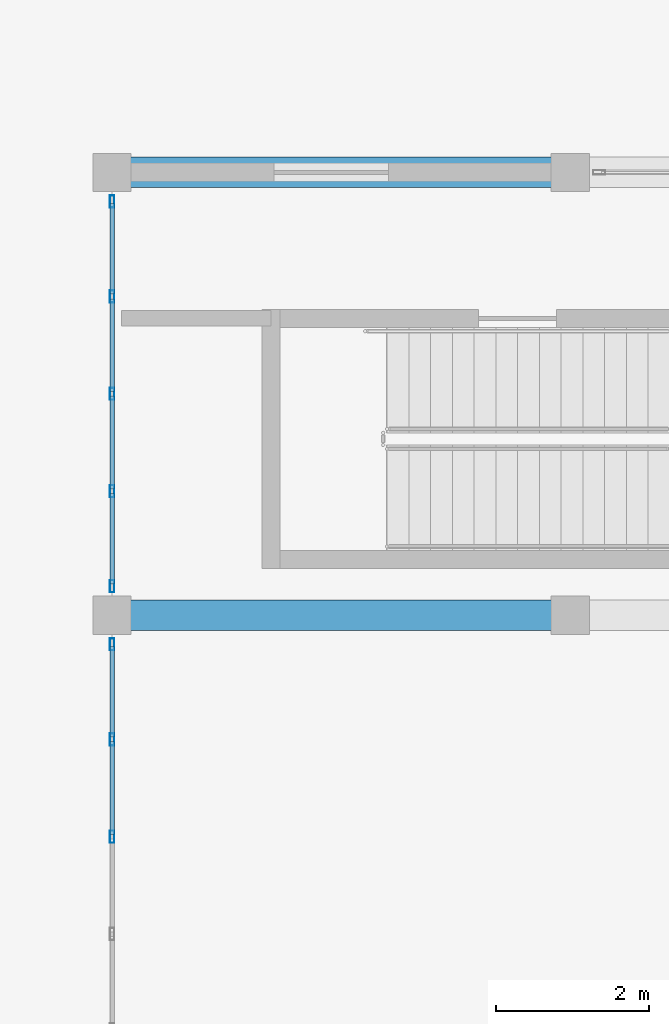
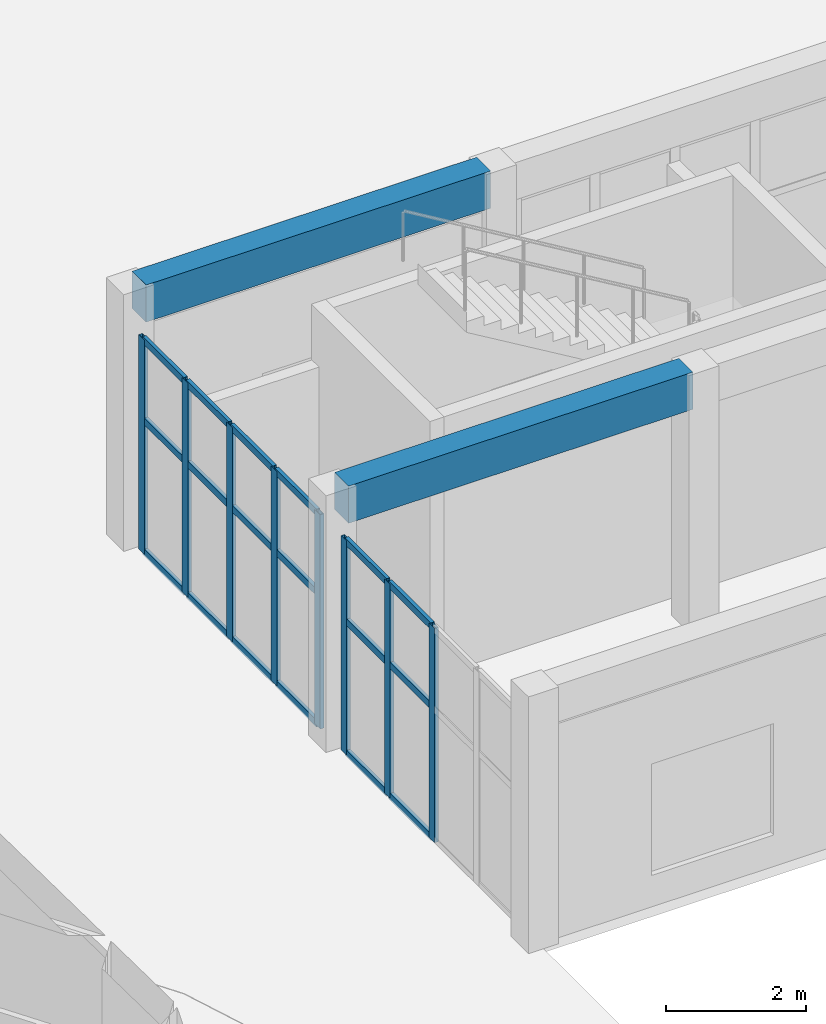
# One storey, part 13 of 132: 26 members, 2 beams, 2 elements without a shape of their own.
"""IFC4 building model written with IfcOpenShell, lengths in metres."""

from ifc_helpers import new_model, si_unit, direction, frame, origin, origin_2d, place, context, subcontext, project, spatial, rectangle, hollow_rectangle, extrude, material, material_profile, profile_set, type_object, element, aggregate, save


model = new_model("IFC4")

# Units and contexts
model_context = context("Model", 3, precision=1e-05, world=origin(), true_north=direction((0.0, 1.0)))
body_context = subcontext(model_context, "Body", "Model", "MODEL_VIEW")
ifc_project = project(units=[si_unit("LENGTHUNIT", "METRE"), si_unit("AREAUNIT", "SQUARE_METRE"), si_unit("VOLUMEUNIT", "CUBIC_METRE"), si_unit("PLANEANGLEUNIT", "RADIAN"), si_unit("MASSUNIT", "GRAM", prefix="KILO")], contexts=[model_context])

# Site, building, storey
site_placement = place(None, origin())
site = spatial("IfcSite", under=ifc_project, at=site_placement, CompositionType="ELEMENT")
building_placement = place(site_placement, origin())
building = spatial("IfcBuilding", under=site, at=building_placement, Name="Tanwirah Colonnade Gardens", CompositionType="ELEMENT")
storey_placement = place(building_placement, origin())
storey = spatial("IfcBuildingStorey", under=building, at=storey_placement, Name="L00", CompositionType="ELEMENT", Elevation=0.0)

# Beams
ifc_material_1 = material(Name="Precast concrete C45/55", Category="concrete")
ifc_material_profile_1 = material_profile(ifc_material_1, rectangle(XDim=0.39990234375, YDim=0.64990234375, at=origin_2d()), Name="PC-BM 400x650")
ifc_profile_set_1 = profile_set([ifc_material_profile_1], Name="Precast concrete C45/55")
beam_type = type_object("IfcBeamType", Name="BM-PC400", PredefinedType="BEAM", material=ifc_profile_set_1)
for number, where, z_axis, x_axis, name in (
    (1, (66.14990234375, 22.39990234375, 4.1650390625), (1.0, 0.0, 0.0), (0.0, 1.0, 0.0), "Boulevard Shops W L00 Beam 0.2"),
    (2, (66.14990234375, 28.199951171875, 4.1650390625), (1.0, 0.0, 0.0), (0.0, 1.0, 0.0), "Boulevard Shops W L00 Beam 0.3"),
):
    element("IfcBeam", number, at=place(storey_placement, frame(where, z_axis=z_axis, x_axis=x_axis)), inside=storey, type_object=beam_type, Name=name, PredefinedType="BEAM", context=body_context, shape_type="SweptSolid", body=[
        extrude(rectangle(XDim=0.39990234375, YDim=0.64990234375, at=origin_2d()), origin(), (0.0, 0.0, 1.0), 5.7001953125),
    ])

# Curtain wall, members
ifc_material_2 = material(Name="Bronze-anodised aluminium and solar-control low-E glass", Category="aluminium")
curtain_wall_type = type_object("IfcCurtainWallType", Name="CW-SHP", PredefinedType="NOTDEFINED", material=ifc_material_2)
curtain_wall_1_placement = place(storey_placement, origin())
curtain_wall_1 = element("IfcCurtainWall", 3, at=curtain_wall_1_placement, inside=storey, type_object=curtain_wall_type, Name="Curtain Wall CW-SHP-W-L00-W-1", PredefinedType="NOTDEFINED")
ifc_material_3 = material(Name="Bronze-anodised aluminium", Category="aluminium")
ifc_material_profile_2 = material_profile(ifc_material_3, hollow_rectangle(XDim=0.06005859375, YDim=0.159912109375, WallThickness=0.00390625, at=origin_2d()), Name="CW-MUL 60x160x4")
ifc_profile_set_2 = profile_set([ifc_material_profile_2], Name="Bronze-anodised aluminium")
member_type_1 = type_object("IfcMemberType", Name="CWM-60x160", PredefinedType="MULLION", material=ifc_profile_set_2)
member_1_placement = place(storey_placement, frame((66.0, 19.5, 0.0), z_axis=(0.0, 0.0, 1.0), x_axis=(-1.0, 0.0, 0.0)))
member_1 = element("IfcMember", 4, at=member_1_placement, type_object=member_type_1, Name="CW-SHP mullion 3", PredefinedType="MULLION", context=body_context, shape_type="SweptSolid", body=[
    extrude(hollow_rectangle(XDim=0.06005859375, YDim=0.159912109375, WallThickness=0.00390625, at=origin_2d()), origin(), (0.0, 0.0, 1.0), 3.75),
])
member_2_placement = place(storey_placement, frame((66.0, 20.77490234375, 0.0), z_axis=(0.0, 0.0, 1.0), x_axis=(-1.0, 0.0, 0.0)))
member_2 = element("IfcMember", 5, at=member_2_placement, type_object=member_type_1, Name="CW-SHP mullion 4", PredefinedType="MULLION", context=body_context, shape_type="SweptSolid", body=[
    extrude(hollow_rectangle(XDim=0.06005859375, YDim=0.159912109375, WallThickness=0.00390625, at=origin_2d()), origin(), (0.0, 0.0, 1.0), 3.75),
])
member_3_placement = place(storey_placement, frame((66.0, 22.02001953125, 0.0), z_axis=(0.0, 0.0, 1.0), x_axis=(-1.0, 0.0, 0.0)))
member_3 = element("IfcMember", 6, at=member_3_placement, type_object=member_type_1, Name="CW-SHP mullion 5", PredefinedType="MULLION", context=body_context, shape_type="SweptSolid", body=[
    extrude(hollow_rectangle(XDim=0.06005859375, YDim=0.159912109375, WallThickness=0.00390625, at=origin_2d()), origin(), (0.0, 0.0, 1.0), 3.75),
])

curtain_wall_2_placement = place(storey_placement, origin())
curtain_wall_2 = element("IfcCurtainWall", 7, at=curtain_wall_2_placement, inside=storey, type_object=curtain_wall_type, Name="Curtain Wall CW-SHP-W-L00-W-2", PredefinedType="NOTDEFINED")
member_4_placement = place(storey_placement, frame((66.0, 22.780029296875, 0.0), z_axis=(0.0, 0.0, 1.0), x_axis=(-1.0, 0.0, 0.0)))
member_4 = element("IfcMember", 8, at=member_4_placement, type_object=member_type_1, Name="CW-SHP mullion 1", PredefinedType="MULLION", context=body_context, shape_type="SweptSolid", body=[
    extrude(hollow_rectangle(XDim=0.06005859375, YDim=0.159912109375, WallThickness=0.00390625, at=origin_2d()), origin(), (0.0, 0.0, 1.0), 3.75),
])
member_5_placement = place(storey_placement, frame((66.0, 24.02490234375, 0.0), z_axis=(0.0, 0.0, 1.0), x_axis=(-1.0, 0.0, 0.0)))
member_5 = element("IfcMember", 9, at=member_5_placement, type_object=member_type_1, Name="CW-SHP mullion 2", PredefinedType="MULLION", context=body_context, shape_type="SweptSolid", body=[
    extrude(hollow_rectangle(XDim=0.06005859375, YDim=0.159912109375, WallThickness=0.00390625, at=origin_2d()), origin(), (0.0, 0.0, 1.0), 3.75),
])
member_6_placement = place(storey_placement, frame((66.0, 25.300048828125, 0.0), z_axis=(0.0, 0.0, 1.0), x_axis=(-1.0, 0.0, 0.0)))
member_6 = element("IfcMember", 10, at=member_6_placement, type_object=member_type_1, Name="CW-SHP mullion 3", PredefinedType="MULLION", context=body_context, shape_type="SweptSolid", body=[
    extrude(hollow_rectangle(XDim=0.06005859375, YDim=0.159912109375, WallThickness=0.00390625, at=origin_2d()), origin(), (0.0, 0.0, 1.0), 3.75),
])
member_7_placement = place(storey_placement, frame((66.0, 26.574951171875, 0.0), z_axis=(0.0, 0.0, 1.0), x_axis=(-1.0, 0.0, 0.0)))
member_7 = element("IfcMember", 11, at=member_7_placement, type_object=member_type_1, Name="CW-SHP mullion 4", PredefinedType="MULLION", context=body_context, shape_type="SweptSolid", body=[
    extrude(hollow_rectangle(XDim=0.06005859375, YDim=0.159912109375, WallThickness=0.00390625, at=origin_2d()), origin(), (0.0, 0.0, 1.0), 3.75),
])
member_8_placement = place(storey_placement, frame((66.0, 27.820068359375, 0.0), z_axis=(0.0, 0.0, 1.0), x_axis=(-1.0, 0.0, 0.0)))
member_8 = element("IfcMember", 12, at=member_8_placement, type_object=member_type_1, Name="CW-SHP mullion 5", PredefinedType="MULLION", context=body_context, shape_type="SweptSolid", body=[
    extrude(hollow_rectangle(XDim=0.06005859375, YDim=0.159912109375, WallThickness=0.00390625, at=origin_2d()), origin(), (0.0, 0.0, 1.0), 3.75),
])

# Member
ifc_material_profile_3 = material_profile(ifc_material_3, hollow_rectangle(XDim=0.06005859375, YDim=0.1201171875, WallThickness=0.00390625, at=origin_2d()), Name="CW-TRN 60x120x4")
ifc_profile_set_3 = profile_set([ifc_material_profile_3], Name="Bronze-anodised aluminium")
member_type_2 = type_object("IfcMemberType", Name="CWT-60x120", PredefinedType="USERDEFINED", material=ifc_profile_set_3)
member_9_placement = place(storey_placement, frame((66.0, 19.530029296875, 0.030029296875), z_axis=(0.0, 1.0, 0.0), x_axis=(-1.0, 0.0, 0.0)))
member_9 = element("IfcMember", 13, at=member_9_placement, type_object=member_type_2, Name="CW-SHP transom 3.1", ObjectType="TRANSOM", PredefinedType="USERDEFINED", context=body_context, shape_type="SweptSolid", body=[
    extrude(hollow_rectangle(XDim=0.06005859375, YDim=0.1201171875, WallThickness=0.00390625, at=origin_2d()), origin(), (0.0, 0.0, 1.0), 1.215087890625),
])

member_10_placement = place(storey_placement, frame((66.0, 19.530029296875, 2.324951171875), z_axis=(0.0, 1.0, 0.0), x_axis=(-1.0, 0.0, 0.0)))
member_10 = element("IfcMember", 14, at=member_10_placement, type_object=member_type_2, Name="CW-SHP transom 3.2", ObjectType="TRANSOM", PredefinedType="USERDEFINED", context=body_context, shape_type="SweptSolid", body=[
    extrude(hollow_rectangle(XDim=0.06005859375, YDim=0.1201171875, WallThickness=0.00390625, at=origin_2d()), origin(), (0.0, 0.0, 1.0), 1.215087890625),
])

member_11_placement = place(storey_placement, frame((66.0, 19.530029296875, 3.719970703125), z_axis=(0.0, 1.0, 0.0), x_axis=(-1.0, 0.0, 0.0)))
member_11 = element("IfcMember", 15, at=member_11_placement, type_object=member_type_2, Name="CW-SHP transom 3.3", ObjectType="TRANSOM", PredefinedType="USERDEFINED", context=body_context, shape_type="SweptSolid", body=[
    extrude(hollow_rectangle(XDim=0.06005859375, YDim=0.1201171875, WallThickness=0.00390625, at=origin_2d()), origin(), (0.0, 0.0, 1.0), 1.215087890625),
])

member_12_placement = place(storey_placement, frame((66.0, 20.804931640625, 0.030029296875), z_axis=(0.0, 1.0, 0.0), x_axis=(-1.0, 0.0, 0.0)))
member_12 = element("IfcMember", 16, at=member_12_placement, type_object=member_type_2, Name="CW-SHP transom 4.1", ObjectType="TRANSOM", PredefinedType="USERDEFINED", context=body_context, shape_type="SweptSolid", body=[
    extrude(hollow_rectangle(XDim=0.06005859375, YDim=0.1201171875, WallThickness=0.00390625, at=origin_2d()), origin(), (0.0, 0.0, 1.0), 1.18505859375),
])

member_13_placement = place(storey_placement, frame((66.0, 20.804931640625, 2.324951171875), z_axis=(0.0, 1.0, 0.0), x_axis=(-1.0, 0.0, 0.0)))
member_13 = element("IfcMember", 17, at=member_13_placement, type_object=member_type_2, Name="CW-SHP transom 4.2", ObjectType="TRANSOM", PredefinedType="USERDEFINED", context=body_context, shape_type="SweptSolid", body=[
    extrude(hollow_rectangle(XDim=0.06005859375, YDim=0.1201171875, WallThickness=0.00390625, at=origin_2d()), origin(), (0.0, 0.0, 1.0), 1.18505859375),
])

member_14_placement = place(storey_placement, frame((66.0, 20.804931640625, 3.719970703125), z_axis=(0.0, 1.0, 0.0), x_axis=(-1.0, 0.0, 0.0)))
member_14 = element("IfcMember", 18, at=member_14_placement, type_object=member_type_2, Name="CW-SHP transom 4.3", ObjectType="TRANSOM", PredefinedType="USERDEFINED", context=body_context, shape_type="SweptSolid", body=[
    extrude(hollow_rectangle(XDim=0.06005859375, YDim=0.1201171875, WallThickness=0.00390625, at=origin_2d()), origin(), (0.0, 0.0, 1.0), 1.18505859375),
])

aggregate(curtain_wall_1, [member_1, member_2, member_3, member_9, member_10, member_11, member_12, member_13, member_14])

member_15_placement = place(storey_placement, frame((66.0, 22.81005859375, 0.030029296875), z_axis=(0.0, 1.0, 0.0), x_axis=(-1.0, 0.0, 0.0)))
member_15 = element("IfcMember", 19, at=member_15_placement, type_object=member_type_2, Name="CW-SHP transom 1.1", ObjectType="TRANSOM", PredefinedType="USERDEFINED", context=body_context, shape_type="SweptSolid", body=[
    extrude(hollow_rectangle(XDim=0.06005859375, YDim=0.1201171875, WallThickness=0.00390625, at=origin_2d()), origin(), (0.0, 0.0, 1.0), 1.18505859375),
])

member_16_placement = place(storey_placement, frame((66.0, 22.81005859375, 2.324951171875), z_axis=(0.0, 1.0, 0.0), x_axis=(-1.0, 0.0, 0.0)))
member_16 = element("IfcMember", 20, at=member_16_placement, type_object=member_type_2, Name="CW-SHP transom 1.2", ObjectType="TRANSOM", PredefinedType="USERDEFINED", context=body_context, shape_type="SweptSolid", body=[
    extrude(hollow_rectangle(XDim=0.06005859375, YDim=0.1201171875, WallThickness=0.00390625, at=origin_2d()), origin(), (0.0, 0.0, 1.0), 1.18505859375),
])

member_17_placement = place(storey_placement, frame((66.0, 22.81005859375, 3.719970703125), z_axis=(0.0, 1.0, 0.0), x_axis=(-1.0, 0.0, 0.0)))
member_17 = element("IfcMember", 21, at=member_17_placement, type_object=member_type_2, Name="CW-SHP transom 1.3", ObjectType="TRANSOM", PredefinedType="USERDEFINED", context=body_context, shape_type="SweptSolid", body=[
    extrude(hollow_rectangle(XDim=0.06005859375, YDim=0.1201171875, WallThickness=0.00390625, at=origin_2d()), origin(), (0.0, 0.0, 1.0), 1.18505859375),
])

member_18_placement = place(storey_placement, frame((66.0, 24.054931640625, 0.030029296875), z_axis=(0.0, 1.0, 0.0), x_axis=(-1.0, 0.0, 0.0)))
member_18 = element("IfcMember", 22, at=member_18_placement, type_object=member_type_2, Name="CW-SHP transom 2.1", ObjectType="TRANSOM", PredefinedType="USERDEFINED", context=body_context, shape_type="SweptSolid", body=[
    extrude(hollow_rectangle(XDim=0.06005859375, YDim=0.1201171875, WallThickness=0.00390625, at=origin_2d()), origin(), (0.0, 0.0, 1.0), 1.215087890625),
])

member_19_placement = place(storey_placement, frame((66.0, 24.054931640625, 2.324951171875), z_axis=(0.0, 1.0, 0.0), x_axis=(-1.0, 0.0, 0.0)))
member_19 = element("IfcMember", 23, at=member_19_placement, type_object=member_type_2, Name="CW-SHP transom 2.2", ObjectType="TRANSOM", PredefinedType="USERDEFINED", context=body_context, shape_type="SweptSolid", body=[
    extrude(hollow_rectangle(XDim=0.06005859375, YDim=0.1201171875, WallThickness=0.00390625, at=origin_2d()), origin(), (0.0, 0.0, 1.0), 1.215087890625),
])

member_20_placement = place(storey_placement, frame((66.0, 24.054931640625, 3.719970703125), z_axis=(0.0, 1.0, 0.0), x_axis=(-1.0, 0.0, 0.0)))
member_20 = element("IfcMember", 24, at=member_20_placement, type_object=member_type_2, Name="CW-SHP transom 2.3", ObjectType="TRANSOM", PredefinedType="USERDEFINED", context=body_context, shape_type="SweptSolid", body=[
    extrude(hollow_rectangle(XDim=0.06005859375, YDim=0.1201171875, WallThickness=0.00390625, at=origin_2d()), origin(), (0.0, 0.0, 1.0), 1.215087890625),
])

member_21_placement = place(storey_placement, frame((66.0, 25.330078125, 0.030029296875), z_axis=(0.0, 1.0, 0.0), x_axis=(-1.0, 0.0, 0.0)))
member_21 = element("IfcMember", 25, at=member_21_placement, type_object=member_type_2, Name="CW-SHP transom 3.1", ObjectType="TRANSOM", PredefinedType="USERDEFINED", context=body_context, shape_type="SweptSolid", body=[
    extrude(hollow_rectangle(XDim=0.06005859375, YDim=0.1201171875, WallThickness=0.00390625, at=origin_2d()), origin(), (0.0, 0.0, 1.0), 1.21484375),
])

member_22_placement = place(storey_placement, frame((66.0, 25.330078125, 2.324951171875), z_axis=(0.0, 1.0, 0.0), x_axis=(-1.0, 0.0, 0.0)))
member_22 = element("IfcMember", 26, at=member_22_placement, type_object=member_type_2, Name="CW-SHP transom 3.2", ObjectType="TRANSOM", PredefinedType="USERDEFINED", context=body_context, shape_type="SweptSolid", body=[
    extrude(hollow_rectangle(XDim=0.06005859375, YDim=0.1201171875, WallThickness=0.00390625, at=origin_2d()), origin(), (0.0, 0.0, 1.0), 1.21484375),
])

member_23_placement = place(storey_placement, frame((66.0, 25.330078125, 3.719970703125), z_axis=(0.0, 1.0, 0.0), x_axis=(-1.0, 0.0, 0.0)))
member_23 = element("IfcMember", 27, at=member_23_placement, type_object=member_type_2, Name="CW-SHP transom 3.3", ObjectType="TRANSOM", PredefinedType="USERDEFINED", context=body_context, shape_type="SweptSolid", body=[
    extrude(hollow_rectangle(XDim=0.06005859375, YDim=0.1201171875, WallThickness=0.00390625, at=origin_2d()), origin(), (0.0, 0.0, 1.0), 1.21484375),
])

member_24_placement = place(storey_placement, frame((66.0, 26.60498046875, 0.030029296875), z_axis=(0.0, 1.0, 0.0), x_axis=(-1.0, 0.0, 0.0)))
member_24 = element("IfcMember", 28, at=member_24_placement, type_object=member_type_2, Name="CW-SHP transom 4.1", ObjectType="TRANSOM", PredefinedType="USERDEFINED", context=body_context, shape_type="SweptSolid", body=[
    extrude(hollow_rectangle(XDim=0.06005859375, YDim=0.1201171875, WallThickness=0.00390625, at=origin_2d()), origin(), (0.0, 0.0, 1.0), 1.18505859375),
])

member_25_placement = place(storey_placement, frame((66.0, 26.60498046875, 2.324951171875), z_axis=(0.0, 1.0, 0.0), x_axis=(-1.0, 0.0, 0.0)))
member_25 = element("IfcMember", 29, at=member_25_placement, type_object=member_type_2, Name="CW-SHP transom 4.2", ObjectType="TRANSOM", PredefinedType="USERDEFINED", context=body_context, shape_type="SweptSolid", body=[
    extrude(hollow_rectangle(XDim=0.06005859375, YDim=0.1201171875, WallThickness=0.00390625, at=origin_2d()), origin(), (0.0, 0.0, 1.0), 1.18505859375),
])

member_26_placement = place(storey_placement, frame((66.0, 26.60498046875, 3.719970703125), z_axis=(0.0, 1.0, 0.0), x_axis=(-1.0, 0.0, 0.0)))
member_26 = element("IfcMember", 30, at=member_26_placement, type_object=member_type_2, Name="CW-SHP transom 4.3", ObjectType="TRANSOM", PredefinedType="USERDEFINED", context=body_context, shape_type="SweptSolid", body=[
    extrude(hollow_rectangle(XDim=0.06005859375, YDim=0.1201171875, WallThickness=0.00390625, at=origin_2d()), origin(), (0.0, 0.0, 1.0), 1.18505859375),
])

aggregate(curtain_wall_2, [member_4, member_5, member_6, member_7, member_8, member_15, member_16, member_17, member_18, member_19, member_20, member_21, member_22, member_23, member_24, member_25, member_26])

save(model, "model.ifc")
